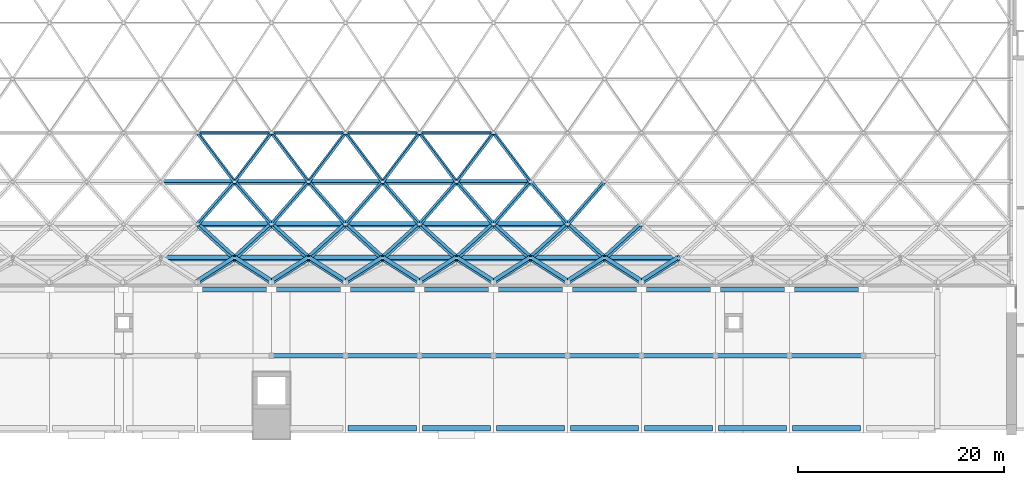
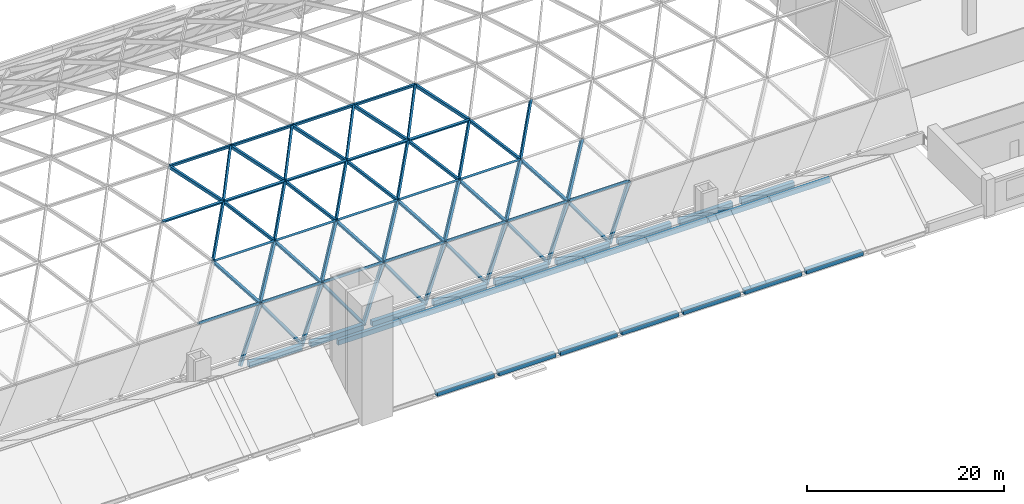
# One storey, part 8 of 52: 45 beams, 45 members.
"""IFC4 building model written with IfcOpenShell, lengths in metres."""

from ifc_helpers import new_model, si_unit, direction, frame, origin, origin_2d, place, context, subcontext, project, spatial, rectangle, extrude, material, material_profile, profile_set, type_object, element, save


model = new_model("IFC4")

# Units and contexts
model_context = context("Model", 3, precision=1e-05, world=origin(), true_north=direction((0.0, 1.0)))
body_context = subcontext(model_context, "Body", "Model", "MODEL_VIEW")
ifc_project = project(units=[si_unit("LENGTHUNIT", "METRE"), si_unit("AREAUNIT", "SQUARE_METRE"), si_unit("VOLUMEUNIT", "CUBIC_METRE"), si_unit("PLANEANGLEUNIT", "RADIAN"), si_unit("MASSUNIT", "GRAM", prefix="KILO")], contexts=[model_context])

# Site, building, storey
site_placement = place(None, origin())
site = spatial("IfcSite", under=ifc_project, at=site_placement, CompositionType="ELEMENT")
building_placement = place(site_placement, origin())
building = spatial("IfcBuilding", under=site, at=building_placement, Name="Vermilion Court Aquatics Centre", CompositionType="ELEMENT")
storey_placement = place(building_placement, frame((0.0, 0.0, 12.0)))
storey = spatial("IfcBuildingStorey", under=building, at=storey_placement, Name="L02", CompositionType="ELEMENT", Elevation=12.0)

# Beams
ifc_material_1 = material(Name="Glulam 24F-V4 Douglas fir", Category="wood")
ifc_material_profile_1 = material_profile(ifc_material_1, rectangle(XDim=0.1708984375, YDim=0.5, at=origin_2d()), Name="GL24F 171x500")
ifc_profile_set_1 = profile_set([ifc_material_profile_1], Name="Glulam 24F-V4 Douglas fir")
beam_type_1 = type_object("IfcBeamType", Name="Roof glulam beam GL24F 171x500", PredefinedType="BEAM", material=ifc_profile_set_1)
for number, where, z_axis, x_axis, name in (
    (1, (64.800048828125, 28.89990234375, 16.007080078125), (1.0, 0.0, 0.0), (0.0, 0.915794264632, 0.401647687492), "Gridshell member GM-S04-07"),
    (2, (72.0, 28.89990234375, 16.007080078125), (1.0, 0.0, 0.0), (0.0, 0.915794264632, 0.401647687492), "Gridshell member GM-S04-08"),
    (3, (79.199951171875, 28.89990234375, 16.007080078125), (1.0, 0.0, 0.0), (0.0, 0.915794264632, 0.401647687492), "Gridshell member GM-S04-09"),
):
    element("IfcBeam", number, at=place(storey_placement, frame(where, z_axis=z_axis, x_axis=x_axis)), inside=storey, type_object=beam_type_1, Name=name, PredefinedType="BEAM", context=body_context, shape_type="SweptSolid", body=[
        extrude(rectangle(XDim=0.1708984375, YDim=0.5, at=origin_2d()), origin(), (0.0, 0.0, 1.0), 7.199951171875),
    ])
beam_1_placement = place(storey_placement, frame((86.39990234375, 28.89990234375, 16.007080078125), z_axis=(1.0, 0.0, 0.0), x_axis=(0.0, 0.915794264632, 0.401647687492)))
element("IfcBeam", 4, at=beam_1_placement, inside=storey, type_object=beam_type_1, Name="Gridshell member GM-S04-10", PredefinedType="BEAM", context=body_context, shape_type="SweptSolid", body=[
    extrude(rectangle(XDim=0.1708984375, YDim=0.5, at=origin_2d()), origin(), (0.0, 0.0, 1.0), 7.2001953125),
])
ifc_material_2 = material(Name="Glulam 24F-V4 Douglas fir", Category="wood")
ifc_material_profile_2 = material_profile(ifc_material_2, rectangle(XDim=0.221923828125, YDim=0.5, at=origin_2d()), Name="GL24F 222x500")
ifc_profile_set_2 = profile_set([ifc_material_profile_2], Name="Glulam 24F-V4 Douglas fir")
beam_type_2 = type_object("IfcBeamType", Name="Roof glulam beam GL24F 222x500", PredefinedType="BEAM", material=ifc_profile_set_2)
for number, where, z_axis, x_axis, name in (
    (5, (64.800048828125, 20.0, 9.652099609375), (1.0, 0.0, 0.0), (0.0, 0.677259808472, 0.735743944473), "Gridshell member GM-S02-07"),
    (6, (72.0, 20.0, 9.652099609375), (1.0, 0.0, 0.0), (0.0, 0.677259808472, 0.735743944473), "Gridshell member GM-S02-08"),
    (7, (79.199951171875, 20.0, 9.652099609375), (1.0, 0.0, 0.0), (0.0, 0.677259808472, 0.735743944473), "Gridshell member GM-S02-09"),
):
    element("IfcBeam", number, at=place(storey_placement, frame(where, z_axis=z_axis, x_axis=x_axis)), inside=storey, type_object=beam_type_2, Name=name, PredefinedType="BEAM", context=body_context, shape_type="SweptSolid", body=[
        extrude(rectangle(XDim=0.221923828125, YDim=0.5, at=origin_2d()), origin(), (0.0, 0.0, 1.0), 7.199951171875),
    ])
beam_2_placement = place(storey_placement, frame((86.39990234375, 20.0, 9.652099609375), z_axis=(1.0, 0.0, 0.0), x_axis=(0.0, 0.677259808472, 0.735743944473)))
element("IfcBeam", 8, at=beam_2_placement, inside=storey, type_object=beam_type_2, Name="Gridshell member GM-S02-10", PredefinedType="BEAM", context=body_context, shape_type="SweptSolid", body=[
    extrude(rectangle(XDim=0.221923828125, YDim=0.5, at=origin_2d()), origin(), (0.0, 0.0, 1.0), 7.2001953125),
])
for number, where, z_axis, x_axis, name in (
    (9, (93.60009765625, 20.0, 9.652099609375), (1.0, 0.0, 0.0), (0.0, 0.677259808472, 0.735743944473), "Gridshell member GM-S02-11"),
    (10, (61.199951171875, 24.1201171875, 13.291015625), (1.0, 0.0, 0.0), (0.0, 0.813847589394, 0.581078395087), "Gridshell member GM-S03-07"),
):
    element("IfcBeam", number, at=place(storey_placement, frame(where, z_axis=z_axis, x_axis=x_axis)), inside=storey, type_object=beam_type_2, Name=name, PredefinedType="BEAM", context=body_context, shape_type="SweptSolid", body=[
        extrude(rectangle(XDim=0.221923828125, YDim=0.5, at=origin_2d()), origin(), (0.0, 0.0, 1.0), 7.199951171875),
    ])
beam_3_placement = place(storey_placement, frame((68.39990234375, 24.1201171875, 13.291015625), z_axis=(1.0, 0.0, 0.0), x_axis=(0.0, 0.813847589394, 0.581078395087)))
element("IfcBeam", 11, at=beam_3_placement, inside=storey, type_object=beam_type_2, Name="Gridshell member GM-S03-08", PredefinedType="BEAM", context=body_context, shape_type="SweptSolid", body=[
    extrude(rectangle(XDim=0.221923828125, YDim=0.5, at=origin_2d()), origin(), (0.0, 0.0, 1.0), 7.2001953125),
])
for number, where, z_axis, x_axis, name in (
    (12, (75.60009765625, 24.1201171875, 13.291015625), (1.0, 0.0, 0.0), (0.0, 0.813847589394, 0.581078395087), "Gridshell member GM-S03-09"),
    (13, (82.800048828125, 24.1201171875, 13.291015625), (1.0, 0.0, 0.0), (0.0, 0.813847589394, 0.581078395087), "Gridshell member GM-S03-10"),
    (14, (90.0, 24.1201171875, 13.291015625), (1.0, 0.0, 0.0), (0.0, 0.813847589394, 0.581078395087), "Gridshell member GM-S03-11"),
):
    element("IfcBeam", number, at=place(storey_placement, frame(where, z_axis=z_axis, x_axis=x_axis)), inside=storey, type_object=beam_type_2, Name=name, PredefinedType="BEAM", context=body_context, shape_type="SweptSolid", body=[
        extrude(rectangle(XDim=0.221923828125, YDim=0.5, at=origin_2d()), origin(), (0.0, 0.0, 1.0), 7.199951171875),
    ])
ifc_material_3 = material(Name="Glulam 24F-V4 Douglas fir", Category="wood")
ifc_material_profile_3 = material_profile(ifc_material_3, rectangle(XDim=0.27294921875, YDim=0.5, at=origin_2d()), Name="GL24F 273x500")
ifc_profile_set_3 = profile_set([ifc_material_profile_3], Name="Glulam 24F-V4 Douglas fir")
beam_type_3 = type_object("IfcBeamType", Name="Roof glulam beam GL24F 273x500", PredefinedType="BEAM", material=ifc_profile_set_3)
beam_4_placement = place(storey_placement, frame((61.199951171875, 16.7099609375, 5.239013671875), z_axis=(1.0, 0.0, 0.0), x_axis=(0.0, 0.511594723072, 0.859226884661)))
element("IfcBeam", 15, at=beam_4_placement, inside=storey, type_object=beam_type_3, Name="Gridshell member GM-S01-07", PredefinedType="BEAM", context=body_context, shape_type="SweptSolid", body=[
    extrude(rectangle(XDim=0.27294921875, YDim=0.5, at=origin_2d()), origin(), (0.0, 0.0, 1.0), 7.199951171875),
])
beam_5_placement = place(storey_placement, frame((68.39990234375, 16.7099609375, 5.239013671875), z_axis=(1.0, 0.0, 0.0), x_axis=(0.0, 0.511594723072, 0.859226884661)))
element("IfcBeam", 16, at=beam_5_placement, inside=storey, type_object=beam_type_3, Name="Gridshell member GM-S01-08", PredefinedType="BEAM", context=body_context, shape_type="SweptSolid", body=[
    extrude(rectangle(XDim=0.27294921875, YDim=0.5, at=origin_2d()), origin(), (0.0, 0.0, 1.0), 7.2001953125),
])
for number, where, z_axis, x_axis, name in (
    (17, (75.60009765625, 16.7099609375, 5.239013671875), (1.0, 0.0, 0.0), (0.0, 0.511594723072, 0.859226884661), "Gridshell member GM-S01-09"),
    (18, (82.800048828125, 16.7099609375, 5.239013671875), (1.0, 0.0, 0.0), (0.0, 0.511594723072, 0.859226884661), "Gridshell member GM-S01-10"),
    (19, (90.0, 16.7099609375, 5.239013671875), (1.0, 0.0, 0.0), (0.0, 0.511594723072, 0.859226884661), "Gridshell member GM-S01-11"),
    (20, (97.199951171875, 16.7099609375, 5.239013671875), (1.0, 0.0, 0.0), (0.0, 0.511594723072, 0.859226884661), "Gridshell member GM-S01-12"),
):
    element("IfcBeam", number, at=place(storey_placement, frame(where, z_axis=z_axis, x_axis=x_axis)), inside=storey, type_object=beam_type_3, Name=name, PredefinedType="BEAM", context=body_context, shape_type="SweptSolid", body=[
        extrude(rectangle(XDim=0.27294921875, YDim=0.5, at=origin_2d()), origin(), (0.0, 0.0, 1.0), 7.199951171875),
    ])
beam_6_placement = place(storey_placement, frame((104.39990234375, 16.7099609375, 5.239013671875), z_axis=(1.0, 0.0, 0.0), x_axis=(0.0, 0.511594723072, 0.859226884661)))
element("IfcBeam", 21, at=beam_6_placement, inside=storey, type_object=beam_type_3, Name="Gridshell member GM-S01-13", PredefinedType="BEAM", context=body_context, shape_type="SweptSolid", body=[
    extrude(rectangle(XDim=0.27294921875, YDim=0.5, at=origin_2d()), origin(), (0.0, 0.0, 1.0), 7.2001953125),
])

# Members
ifc_material_4 = material(Name="Glulam 24F-V4 Douglas fir", Category="wood")
ifc_material_profile_4 = material_profile(ifc_material_4, rectangle(XDim=0.221923828125, YDim=0.5, at=origin_2d()), Name="GL24F 222x500")
ifc_profile_set_4 = profile_set([ifc_material_profile_4], Name="Glulam 24F-V4 Douglas fir")
member_type_1 = type_object("IfcMemberType", Name="Roof glulam diagonal GL24F 222x500", PredefinedType="BRACE", material=ifc_profile_set_4)
member_1_placement = place(storey_placement, frame((64.800048828125, 20.0, 9.652099609375), z_axis=(0.54785234141, 0.62702991615, 0.553797161662), x_axis=(-0.836575048608, 0.410632462921, 0.362661230961)))
element("IfcMember", 22, at=member_1_placement, inside=storey, type_object=member_type_1, Name="Gridshell member GM-D02-14", PredefinedType="BRACE", context=body_context, shape_type="SweptSolid", body=[
    extrude(rectangle(XDim=0.221923828125, YDim=0.5, at=origin_2d()), origin(), (0.0, 0.0, 1.0), 6.57080078125),
])
for number, where, z_axis, x_axis, name in (
    (23, (72.0, 20.0, 9.652099609375), (-0.547878343921, 0.627017152585, 0.553785888793), (-0.836558019341, -0.410664270742, -0.362664496488), "Gridshell member GM-D02-15"),
    (24, (72.0, 20.0, 9.652099609375), (0.547878343921, 0.627017152585, 0.553785888793), (-0.836558019341, 0.410664270742, 0.362664496488), "Gridshell member GM-D02-16"),
):
    element("IfcMember", number, at=place(storey_placement, frame(where, z_axis=z_axis, x_axis=x_axis)), inside=storey, type_object=member_type_1, Name=name, PredefinedType="BRACE", context=body_context, shape_type="SweptSolid", body=[
        extrude(rectangle(XDim=0.221923828125, YDim=0.5, at=origin_2d()), origin(), (0.0, 0.0, 1.0), 6.571044921875),
    ])
member_2_placement = place(storey_placement, frame((79.199951171875, 20.0, 9.652099609375), z_axis=(-0.54785234141, 0.62702991615, 0.553797161662), x_axis=(-0.836575048608, -0.410632462921, -0.362661230961)))
element("IfcMember", 25, at=member_2_placement, inside=storey, type_object=member_type_1, Name="Gridshell member GM-D02-17", PredefinedType="BRACE", context=body_context, shape_type="SweptSolid", body=[
    extrude(rectangle(XDim=0.221923828125, YDim=0.5, at=origin_2d()), origin(), (0.0, 0.0, 1.0), 6.57080078125),
])
member_3_placement = place(storey_placement, frame((79.199951171875, 20.0, 9.652099609375), z_axis=(0.547878343921, 0.627017152585, 0.553785888793), x_axis=(-0.836558019341, 0.410664270742, 0.362664496488)))
element("IfcMember", 26, at=member_3_placement, inside=storey, type_object=member_type_1, Name="Gridshell member GM-D02-18", PredefinedType="BRACE", context=body_context, shape_type="SweptSolid", body=[
    extrude(rectangle(XDim=0.221923828125, YDim=0.5, at=origin_2d()), origin(), (0.0, 0.0, 1.0), 6.571044921875),
])
member_4_placement = place(storey_placement, frame((86.39990234375, 20.0, 9.652099609375), z_axis=(-0.54785234141, 0.62702991615, 0.553797161662), x_axis=(-0.836575048608, -0.410632462921, -0.362661230961)))
element("IfcMember", 27, at=member_4_placement, inside=storey, type_object=member_type_1, Name="Gridshell member GM-D02-19", PredefinedType="BRACE", context=body_context, shape_type="SweptSolid", body=[
    extrude(rectangle(XDim=0.221923828125, YDim=0.5, at=origin_2d()), origin(), (0.0, 0.0, 1.0), 6.57080078125),
])
for number, where, z_axis, x_axis, name in (
    (28, (86.39990234375, 20.0, 9.652099609375), (0.547878343921, 0.627017152585, 0.553785888793), (-0.836558019341, 0.410664270742, 0.362664496488), "Gridshell member GM-D02-20"),
    (29, (93.60009765625, 20.0, 9.652099609375), (-0.547878343921, 0.627017152585, 0.553785888793), (-0.836558019341, -0.410664270742, -0.362664496488), "Gridshell member GM-D02-21"),
):
    element("IfcMember", number, at=place(storey_placement, frame(where, z_axis=z_axis, x_axis=x_axis)), inside=storey, type_object=member_type_1, Name=name, PredefinedType="BRACE", context=body_context, shape_type="SweptSolid", body=[
        extrude(rectangle(XDim=0.221923828125, YDim=0.5, at=origin_2d()), origin(), (0.0, 0.0, 1.0), 6.571044921875),
    ])
member_5_placement = place(storey_placement, frame((93.60009765625, 20.0, 9.652099609375), z_axis=(0.54785234141, 0.62702991615, 0.553797161662), x_axis=(-0.836575048608, 0.410632462921, 0.362661230961)))
element("IfcMember", 30, at=member_5_placement, inside=storey, type_object=member_type_1, Name="Gridshell member GM-D02-22", PredefinedType="BRACE", context=body_context, shape_type="SweptSolid", body=[
    extrude(rectangle(XDim=0.221923828125, YDim=0.5, at=origin_2d()), origin(), (0.0, 0.0, 1.0), 6.57080078125),
])
member_6_placement = place(storey_placement, frame((100.800048828125, 20.0, 9.652099609375), z_axis=(-0.547878343921, 0.627017152585, 0.553785888793), x_axis=(-0.836558019341, -0.410664270742, -0.362664496488)))
element("IfcMember", 31, at=member_6_placement, inside=storey, type_object=member_type_1, Name="Gridshell member GM-D02-23", PredefinedType="BRACE", context=body_context, shape_type="SweptSolid", body=[
    extrude(rectangle(XDim=0.221923828125, YDim=0.5, at=origin_2d()), origin(), (0.0, 0.0, 1.0), 6.571044921875),
])
member_7_placement = place(storey_placement, frame((100.800048828125, 20.0, 9.652099609375), z_axis=(0.54785234141, 0.62702991615, 0.553797161662), x_axis=(-0.836575048608, 0.410632462921, 0.362661230961)))
element("IfcMember", 32, at=member_7_placement, inside=storey, type_object=member_type_1, Name="Gridshell member GM-D02-24", PredefinedType="BRACE", context=body_context, shape_type="SweptSolid", body=[
    extrude(rectangle(XDim=0.221923828125, YDim=0.5, at=origin_2d()), origin(), (0.0, 0.0, 1.0), 6.57080078125),
])
member_8_placement = place(storey_placement, frame((68.39990234375, 24.1201171875, 13.291015625), z_axis=(-0.547812522897, 0.727370198256, 0.413320740402), x_axis=(-0.836601123047, -0.476302635686, -0.270618477113)))
element("IfcMember", 33, at=member_8_placement, inside=storey, type_object=member_type_1, Name="Gridshell member GM-D03-14", PredefinedType="BRACE", context=body_context, shape_type="SweptSolid", body=[
    extrude(rectangle(XDim=0.221923828125, YDim=0.5, at=origin_2d()), origin(), (0.0, 0.0, 1.0), 6.5712890625),
])
for number, where, z_axis, x_axis, name in (
    (34, (68.39990234375, 24.1201171875, 13.291015625), (0.54783852514, 0.727355394357, 0.413312328237), (-0.836584095586, 0.476331897609, 0.270619611877), "Gridshell member GM-D03-15"),
    (35, (75.60009765625, 24.1201171875, 13.291015625), (-0.54783852514, 0.727355394357, 0.413312328237), (-0.836584095586, -0.476331897609, -0.270619611877), "Gridshell member GM-D03-16"),
):
    element("IfcMember", number, at=place(storey_placement, frame(where, z_axis=z_axis, x_axis=x_axis)), inside=storey, type_object=member_type_1, Name=name, PredefinedType="BRACE", context=body_context, shape_type="SweptSolid", body=[
        extrude(rectangle(XDim=0.221923828125, YDim=0.5, at=origin_2d()), origin(), (0.0, 0.0, 1.0), 6.571533203125),
    ])
member_9_placement = place(storey_placement, frame((75.60009765625, 24.1201171875, 13.291015625), z_axis=(0.547812522897, 0.727370198256, 0.413320740402), x_axis=(-0.836601123047, 0.476302635686, 0.270618477113)))
element("IfcMember", 36, at=member_9_placement, inside=storey, type_object=member_type_1, Name="Gridshell member GM-D03-17", PredefinedType="BRACE", context=body_context, shape_type="SweptSolid", body=[
    extrude(rectangle(XDim=0.221923828125, YDim=0.5, at=origin_2d()), origin(), (0.0, 0.0, 1.0), 6.5712890625),
])
member_10_placement = place(storey_placement, frame((82.800048828125, 24.1201171875, 13.291015625), z_axis=(-0.54783852514, 0.727355394357, 0.413312328237), x_axis=(-0.836584095586, -0.476331897609, -0.270619611877)))
element("IfcMember", 37, at=member_10_placement, inside=storey, type_object=member_type_1, Name="Gridshell member GM-D03-18", PredefinedType="BRACE", context=body_context, shape_type="SweptSolid", body=[
    extrude(rectangle(XDim=0.221923828125, YDim=0.5, at=origin_2d()), origin(), (0.0, 0.0, 1.0), 6.571533203125),
])
member_11_placement = place(storey_placement, frame((82.800048828125, 24.1201171875, 13.291015625), z_axis=(0.547812522897, 0.727370198256, 0.413320740402), x_axis=(-0.836601123047, 0.476302635686, 0.270618477113)))
element("IfcMember", 38, at=member_11_placement, inside=storey, type_object=member_type_1, Name="Gridshell member GM-D03-19", PredefinedType="BRACE", context=body_context, shape_type="SweptSolid", body=[
    extrude(rectangle(XDim=0.221923828125, YDim=0.5, at=origin_2d()), origin(), (0.0, 0.0, 1.0), 6.5712890625),
])
for number, where, z_axis, x_axis, name in (
    (39, (90.0, 24.1201171875, 13.291015625), (-0.54783852514, 0.727355394357, 0.413312328237), (-0.836584095586, -0.476331897609, -0.270619611877), "Gridshell member GM-D03-20"),
    (40, (90.0, 24.1201171875, 13.291015625), (0.54783852514, 0.727355394357, 0.413312328237), (-0.836584095586, 0.476331897609, 0.270619611877), "Gridshell member GM-D03-21"),
):
    element("IfcMember", number, at=place(storey_placement, frame(where, z_axis=z_axis, x_axis=x_axis)), inside=storey, type_object=member_type_1, Name=name, PredefinedType="BRACE", context=body_context, shape_type="SweptSolid", body=[
        extrude(rectangle(XDim=0.221923828125, YDim=0.5, at=origin_2d()), origin(), (0.0, 0.0, 1.0), 6.571533203125),
    ])
member_12_placement = place(storey_placement, frame((97.199951171875, 24.1201171875, 13.291015625), z_axis=(-0.547812522897, 0.727370198256, 0.413320740402), x_axis=(-0.836601123047, -0.476302635686, -0.270618477113)))
element("IfcMember", 41, at=member_12_placement, inside=storey, type_object=member_type_1, Name="Gridshell member GM-D03-22", PredefinedType="BRACE", context=body_context, shape_type="SweptSolid", body=[
    extrude(rectangle(XDim=0.221923828125, YDim=0.5, at=origin_2d()), origin(), (0.0, 0.0, 1.0), 6.5712890625),
])
ifc_material_5 = material(Name="Glulam 24F-V4 Douglas fir", Category="wood")
ifc_material_profile_5 = material_profile(ifc_material_5, rectangle(XDim=0.27294921875, YDim=0.5, at=origin_2d()), Name="GL24F 273x500")
ifc_profile_set_5 = profile_set([ifc_material_profile_5], Name="Glulam 24F-V4 Douglas fir")
member_type_2 = type_object("IfcMemberType", Name="Roof glulam diagonal GL24F 273x500", PredefinedType="BRACE", material=ifc_profile_set_5)
member_13_placement = place(storey_placement, frame((64.715576171875, 14.345703125, 0.1328125), z_axis=(0.547784705503, 0.351517267781, 0.759188729414), x_axis=(-0.83661933782, 0.230161099811, 0.497085457159)))
element("IfcMember", 42, at=member_13_placement, inside=storey, type_object=member_type_2, Name="Gridshell member GM-D00-14", PredefinedType="BRACE", context=body_context, shape_type="SweptSolid", body=[
    extrude(rectangle(XDim=0.27294921875, YDim=0.5, at=origin_2d()), origin(), (0.0, 0.0, 1.0), 6.725830078125),
])
for number, where, z_axis, x_axis, name in (
    (43, (72.08447265625, 14.345703125, 0.1328125), (-0.547810111411, 0.35151027822, 0.759173633724), (-0.836602702247, -0.230192523341, -0.497098904436), "Gridshell member GM-D00-15"),
    (44, (71.91552734375, 14.345703125, 0.1328125), (0.547810111411, 0.35151027822, 0.759173633724), (-0.836602702247, 0.230192523341, 0.497098904436), "Gridshell member GM-D00-16"),
):
    element("IfcMember", number, at=place(storey_placement, frame(where, z_axis=z_axis, x_axis=x_axis)), inside=storey, type_object=member_type_2, Name=name, PredefinedType="BRACE", context=body_context, shape_type="SweptSolid", body=[
        extrude(rectangle(XDim=0.27294921875, YDim=0.5, at=origin_2d()), origin(), (0.0, 0.0, 1.0), 6.72607421875),
    ])
member_14_placement = place(storey_placement, frame((79.284423828125, 14.345703125, 0.1328125), z_axis=(-0.547784705503, 0.351517267781, 0.759188729414), x_axis=(-0.83661933782, -0.230161099811, -0.497085457159)))
element("IfcMember", 45, at=member_14_placement, inside=storey, type_object=member_type_2, Name="Gridshell member GM-D00-17", PredefinedType="BRACE", context=body_context, shape_type="SweptSolid", body=[
    extrude(rectangle(XDim=0.27294921875, YDim=0.5, at=origin_2d()), origin(), (0.0, 0.0, 1.0), 6.725830078125),
])
for number, where, z_axis, x_axis, name in (
    (46, (79.115478515625, 14.345703125, 0.1328125), (0.547810111411, 0.35151027822, 0.759173633724), (-0.836602702247, 0.230192523341, 0.497098904436), "Gridshell member GM-D00-18"),
    (47, (86.484619140625, 14.345703125, 0.1328125), (-0.547810111411, 0.35151027822, 0.759173633724), (-0.836602702247, -0.230192523341, -0.497098904436), "Gridshell member GM-D00-19"),
    (48, (86.3154296875, 14.345703125, 0.1328125), (0.547810111411, 0.35151027822, 0.759173633724), (-0.836602702247, 0.230192523341, 0.497098904436), "Gridshell member GM-D00-20"),
    (49, (93.6845703125, 14.345703125, 0.1328125), (-0.547810111411, 0.35151027822, 0.759173633724), (-0.836602702247, -0.230192523341, -0.497098904436), "Gridshell member GM-D00-21"),
    (50, (93.515380859375, 14.345703125, 0.1328125), (0.547810111411, 0.35151027822, 0.759173633724), (-0.836602702247, 0.230192523341, 0.497098904436), "Gridshell member GM-D00-22"),
    (51, (100.884521484375, 14.345703125, 0.1328125), (-0.547810111411, 0.35151027822, 0.759173633724), (-0.836602702247, -0.230192523341, -0.497098904436), "Gridshell member GM-D00-23"),
):
    element("IfcMember", number, at=place(storey_placement, frame(where, z_axis=z_axis, x_axis=x_axis)), inside=storey, type_object=member_type_2, Name=name, PredefinedType="BRACE", context=body_context, shape_type="SweptSolid", body=[
        extrude(rectangle(XDim=0.27294921875, YDim=0.5, at=origin_2d()), origin(), (0.0, 0.0, 1.0), 6.72607421875),
    ])
member_15_placement = place(storey_placement, frame((100.715576171875, 14.345703125, 0.1328125), z_axis=(0.547784705503, 0.351517267781, 0.759188729414), x_axis=(-0.83661933782, 0.230161099811, 0.497085457159)))
element("IfcMember", 52, at=member_15_placement, inside=storey, type_object=member_type_2, Name="Gridshell member GM-D00-24", PredefinedType="BRACE", context=body_context, shape_type="SweptSolid", body=[
    extrude(rectangle(XDim=0.27294921875, YDim=0.5, at=origin_2d()), origin(), (0.0, 0.0, 1.0), 6.725830078125),
])
for number, where, z_axis, x_axis, name in (
    (53, (108.08447265625, 14.345703125, 0.1328125), (-0.547810111411, 0.35151027822, 0.759173633724), (-0.836602702247, -0.230192523341, -0.497098904436), "Gridshell member GM-D00-25"),
    (54, (107.91552734375, 14.345703125, 0.1328125), (0.547810111411, 0.35151027822, 0.759173633724), (-0.836602702247, 0.230192523341, 0.497098904436), "Gridshell member GM-D00-26"),
):
    element("IfcMember", number, at=place(storey_placement, frame(where, z_axis=z_axis, x_axis=x_axis)), inside=storey, type_object=member_type_2, Name=name, PredefinedType="BRACE", context=body_context, shape_type="SweptSolid", body=[
        extrude(rectangle(XDim=0.27294921875, YDim=0.5, at=origin_2d()), origin(), (0.0, 0.0, 1.0), 6.72607421875),
    ])
for number, where, z_axis, x_axis, name in (
    (55, (68.39990234375, 16.7099609375, 5.239013671875), (-0.547328986583, 0.500224172478, 0.670974483654), (-0.836917545043, -0.32708302, -0.438845896445), "Gridshell member GM-D01-14"),
    (56, (68.39990234375, 16.7099609375, 5.239013671875), (0.547354985532, 0.500214009563, 0.670960851652), (-0.836900542699, 0.327116726721, 0.438853197242), "Gridshell member GM-D01-15"),
    (57, (75.60009765625, 16.7099609375, 5.239013671875), (-0.547354985532, 0.500214009563, 0.670960851652), (-0.836900542699, -0.327116726721, -0.438853197242), "Gridshell member GM-D01-16"),
    (58, (75.60009765625, 16.7099609375, 5.239013671875), (0.547328986583, 0.500224172478, 0.670974483654), (-0.836917545043, 0.32708302, 0.438845896445), "Gridshell member GM-D01-17"),
    (59, (82.800048828125, 16.7099609375, 5.239013671875), (-0.547354985532, 0.500214009563, 0.670960851652), (-0.836900542699, -0.327116726721, -0.438853197242), "Gridshell member GM-D01-18"),
    (60, (82.800048828125, 16.7099609375, 5.239013671875), (0.547328986583, 0.500224172478, 0.670974483654), (-0.836917545043, 0.32708302, 0.438845896445), "Gridshell member GM-D01-19"),
    (61, (90.0, 16.7099609375, 5.239013671875), (-0.547354985532, 0.500214009563, 0.670960851652), (-0.836900542699, -0.327116726721, -0.438853197242), "Gridshell member GM-D01-20"),
    (62, (90.0, 16.7099609375, 5.239013671875), (0.547354985532, 0.500214009563, 0.670960851652), (-0.836900542699, 0.327116726721, 0.438853197242), "Gridshell member GM-D01-21"),
    (63, (97.199951171875, 16.7099609375, 5.239013671875), (-0.547328986583, 0.500224172478, 0.670974483654), (-0.836917545043, -0.32708302, -0.438845896445), "Gridshell member GM-D01-22"),
    (64, (97.199951171875, 16.7099609375, 5.239013671875), (0.547354985532, 0.500214009563, 0.670960851652), (-0.836900542699, 0.327116726721, 0.438853197242), "Gridshell member GM-D01-23"),
    (65, (104.39990234375, 16.7099609375, 5.239013671875), (-0.547328986583, 0.500224172478, 0.670974483654), (-0.836917545043, -0.32708302, -0.438845896445), "Gridshell member GM-D01-24"),
    (66, (104.39990234375, 16.7099609375, 5.239013671875), (0.547354985532, 0.500214009563, 0.670960851652), (-0.836900542699, 0.327116726721, 0.438853197242), "Gridshell member GM-D01-25"),
):
    element("IfcMember", number, at=place(storey_placement, frame(where, z_axis=z_axis, x_axis=x_axis)), inside=storey, type_object=member_type_2, Name=name, PredefinedType="BRACE", context=body_context, shape_type="SweptSolid", body=[
        extrude(rectangle(XDim=0.27294921875, YDim=0.5, at=origin_2d()), origin(), (0.0, 0.0, 1.0), 6.5771484375),
    ])

# Beams
ifc_material_6 = material(Name="Concrete 5000 psi", Category="concrete")
ifc_material_profile_6 = material_profile(ifc_material_6, rectangle(XDim=0.550048828125, YDim=0.5, at=origin_2d()), Name="RC 550x500")
ifc_profile_set_6 = profile_set([ifc_material_profile_6], Name="Concrete 5000 psi")
beam_type_4 = type_object("IfcBeamType", Name="South roof eave beam RC 550x500", PredefinedType="BEAM", material=ifc_profile_set_6)
beam_7_placement = place(storey_placement, frame((79.449951171875, 0.125, 0.236083984375), z_axis=(1.0, 0.0, 0.0), x_axis=(0.0, 1.0, 0.0)))
element("IfcBeam", 67, at=beam_7_placement, inside=storey, type_object=beam_type_4, Name="South roof eave beam", PredefinedType="BEAM", context=body_context, shape_type="SweptSolid", body=[
    extrude(rectangle(XDim=0.550048828125, YDim=0.5, at=origin_2d()), origin(), (0.0, 0.0, 1.0), 6.675048828125),
])
for number, where, z_axis, x_axis, name in (
    (68, (86.675048828125, 0.125, 0.236083984375), (1.0, 0.0, 0.0), (0.0, 1.0, 0.0), "South roof eave beam"),
    (69, (93.875, 0.125, 0.236083984375), (1.0, 0.0, 0.0), (0.0, 1.0, 0.0), "South roof eave beam"),
):
    element("IfcBeam", number, at=place(storey_placement, frame(where, z_axis=z_axis, x_axis=x_axis)), inside=storey, type_object=beam_type_4, Name=name, PredefinedType="BEAM", context=body_context, shape_type="SweptSolid", body=[
        extrude(rectangle(XDim=0.550048828125, YDim=0.5, at=origin_2d()), origin(), (0.0, 0.0, 1.0), 6.64990234375),
    ])
for number, where, z_axis, x_axis, name in (
    (70, (101.074951171875, 0.125, 0.236083984375), (1.0, 0.0, 0.0), (0.0, 1.0, 0.0), "South roof eave beam"),
    (71, (108.27490234375, 0.125, 0.236083984375), (1.0, 0.0, 0.0), (0.0, 1.0, 0.0), "South roof eave beam"),
):
    element("IfcBeam", number, at=place(storey_placement, frame(where, z_axis=z_axis, x_axis=x_axis)), inside=storey, type_object=beam_type_4, Name=name, PredefinedType="BEAM", context=body_context, shape_type="SweptSolid", body=[
        extrude(rectangle(XDim=0.550048828125, YDim=0.5, at=origin_2d()), origin(), (0.0, 0.0, 1.0), 6.650146484375),
    ])
for number, where, z_axis, x_axis, name in (
    (72, (115.47509765625, 0.125, 0.236083984375), (1.0, 0.0, 0.0), (0.0, 1.0, 0.0), "South roof eave beam"),
    (73, (122.675048828125, 0.125, 0.236083984375), (1.0, 0.0, 0.0), (0.0, 1.0, 0.0), "South roof eave beam"),
):
    element("IfcBeam", number, at=place(storey_placement, frame(where, z_axis=z_axis, x_axis=x_axis)), inside=storey, type_object=beam_type_4, Name=name, PredefinedType="BEAM", context=body_context, shape_type="SweptSolid", body=[
        extrude(rectangle(XDim=0.550048828125, YDim=0.5, at=origin_2d()), origin(), (0.0, 0.0, 1.0), 6.64990234375),
    ])
ifc_material_7 = material(Name="Concrete 5000 psi", Category="concrete")
ifc_material_profile_7 = material_profile(ifc_material_7, rectangle(XDim=0.39990234375, YDim=0.60009765625, at=origin_2d()), Name="RC 400x600")
ifc_profile_set_7 = profile_set([ifc_material_profile_7], Name="Concrete 5000 psi")
beam_type_5 = type_object("IfcBeamType", Name="South roof ridge beam RC 400x600", PredefinedType="BEAM", material=ifc_profile_set_7)
for number, where, z_axis, x_axis, name in (
    (74, (72.0, 7.199951171875, 4.885986328125), (1.0, 0.0, 0.0), (0.0, 1.0, 0.0), "South roof ridge beam"),
    (75, (79.199951171875, 7.199951171875, 4.885986328125), (1.0, 0.0, 0.0), (0.0, 1.0, 0.0), "South roof ridge beam"),
):
    element("IfcBeam", number, at=place(storey_placement, frame(where, z_axis=z_axis, x_axis=x_axis)), inside=storey, type_object=beam_type_5, Name=name, PredefinedType="BEAM", context=body_context, shape_type="SweptSolid", body=[
        extrude(rectangle(XDim=0.39990234375, YDim=0.60009765625, at=origin_2d()), origin(), (0.0, 0.0, 1.0), 7.199951171875),
    ])
beam_8_placement = place(storey_placement, frame((86.39990234375, 7.199951171875, 4.885986328125), z_axis=(1.0, 0.0, 0.0), x_axis=(0.0, 1.0, 0.0)))
element("IfcBeam", 76, at=beam_8_placement, inside=storey, type_object=beam_type_5, Name="South roof ridge beam", PredefinedType="BEAM", context=body_context, shape_type="SweptSolid", body=[
    extrude(rectangle(XDim=0.39990234375, YDim=0.60009765625, at=origin_2d()), origin(), (0.0, 0.0, 1.0), 7.2001953125),
])
for number, where, z_axis, x_axis, name in (
    (77, (93.60009765625, 7.199951171875, 4.885986328125), (1.0, 0.0, 0.0), (0.0, 1.0, 0.0), "South roof ridge beam"),
    (78, (100.800048828125, 7.199951171875, 4.885986328125), (1.0, 0.0, 0.0), (0.0, 1.0, 0.0), "South roof ridge beam"),
    (79, (108.0, 7.199951171875, 4.885986328125), (1.0, 0.0, 0.0), (0.0, 1.0, 0.0), "South roof ridge beam"),
    (80, (115.199951171875, 7.199951171875, 4.885986328125), (1.0, 0.0, 0.0), (0.0, 1.0, 0.0), "South roof ridge beam"),
):
    element("IfcBeam", number, at=place(storey_placement, frame(where, z_axis=z_axis, x_axis=x_axis)), inside=storey, type_object=beam_type_5, Name=name, PredefinedType="BEAM", context=body_context, shape_type="SweptSolid", body=[
        extrude(rectangle(XDim=0.39990234375, YDim=0.60009765625, at=origin_2d()), origin(), (0.0, 0.0, 1.0), 7.199951171875),
    ])
beam_9_placement = place(storey_placement, frame((122.39990234375, 7.199951171875, 4.885986328125), z_axis=(1.0, 0.0, 0.0), x_axis=(0.0, 1.0, 0.0)))
element("IfcBeam", 81, at=beam_9_placement, inside=storey, type_object=beam_type_5, Name="South roof ridge beam", PredefinedType="BEAM", context=body_context, shape_type="SweptSolid", body=[
    extrude(rectangle(XDim=0.39990234375, YDim=0.60009765625, at=origin_2d()), origin(), (0.0, 0.0, 1.0), 7.2001953125),
])
ifc_material_8 = material(Name="Concrete 5000 psi", Category="concrete")
ifc_material_profile_8 = material_profile(ifc_material_8, rectangle(XDim=0.5, YDim=0.64990234375, at=origin_2d()), Name="RC 500x650")
ifc_profile_set_8 = profile_set([ifc_material_profile_8], Name="Concrete 5000 psi")
beam_type_6 = type_object("IfcBeamType", Name="South roof valley beam RC 500x650", PredefinedType="BEAM", material=ifc_profile_set_8)
for number, where, z_axis, x_axis, name in (
    (82, (65.300048828125, 13.64990234375, 0.607421875), (1.0, 0.0, 0.0), (0.0, 1.0, 0.0), "South roof valley beam"),
    (83, (72.5, 13.64990234375, 0.607421875), (1.0, 0.0, 0.0), (0.0, 1.0, 0.0), "South roof valley beam"),
    (84, (79.699951171875, 13.64990234375, 0.607421875), (1.0, 0.0, 0.0), (0.0, 1.0, 0.0), "South roof valley beam"),
):
    element("IfcBeam", number, at=place(storey_placement, frame(where, z_axis=z_axis, x_axis=x_axis)), inside=storey, type_object=beam_type_6, Name=name, PredefinedType="BEAM", context=body_context, shape_type="SweptSolid", body=[
        extrude(rectangle(XDim=0.5, YDim=0.64990234375, at=origin_2d()), origin(), (0.0, 0.0, 1.0), 6.199951171875),
    ])
beam_10_placement = place(storey_placement, frame((86.89990234375, 13.64990234375, 0.607421875), z_axis=(1.0, 0.0, 0.0), x_axis=(0.0, 1.0, 0.0)))
element("IfcBeam", 85, at=beam_10_placement, inside=storey, type_object=beam_type_6, Name="South roof valley beam", PredefinedType="BEAM", context=body_context, shape_type="SweptSolid", body=[
    extrude(rectangle(XDim=0.5, YDim=0.64990234375, at=origin_2d()), origin(), (0.0, 0.0, 1.0), 6.2001953125),
])
for number, where, z_axis, x_axis, name in (
    (86, (94.10009765625, 13.64990234375, 0.607421875), (1.0, 0.0, 0.0), (0.0, 1.0, 0.0), "South roof valley beam"),
    (87, (101.300048828125, 13.64990234375, 0.607421875), (1.0, 0.0, 0.0), (0.0, 1.0, 0.0), "South roof valley beam"),
    (88, (108.5, 13.64990234375, 0.607421875), (1.0, 0.0, 0.0), (0.0, 1.0, 0.0), "South roof valley beam"),
    (89, (115.699951171875, 13.64990234375, 0.607421875), (1.0, 0.0, 0.0), (0.0, 1.0, 0.0), "South roof valley beam"),
):
    element("IfcBeam", number, at=place(storey_placement, frame(where, z_axis=z_axis, x_axis=x_axis)), inside=storey, type_object=beam_type_6, Name=name, PredefinedType="BEAM", context=body_context, shape_type="SweptSolid", body=[
        extrude(rectangle(XDim=0.5, YDim=0.64990234375, at=origin_2d()), origin(), (0.0, 0.0, 1.0), 6.199951171875),
    ])
beam_11_placement = place(storey_placement, frame((122.89990234375, 13.64990234375, 0.607421875), z_axis=(1.0, 0.0, 0.0), x_axis=(0.0, 1.0, 0.0)))
element("IfcBeam", 90, at=beam_11_placement, inside=storey, type_object=beam_type_6, Name="South roof valley beam", PredefinedType="BEAM", context=body_context, shape_type="SweptSolid", body=[
    extrude(rectangle(XDim=0.5, YDim=0.64990234375, at=origin_2d()), origin(), (0.0, 0.0, 1.0), 6.2001953125),
])

save(model, "model.ifc")
